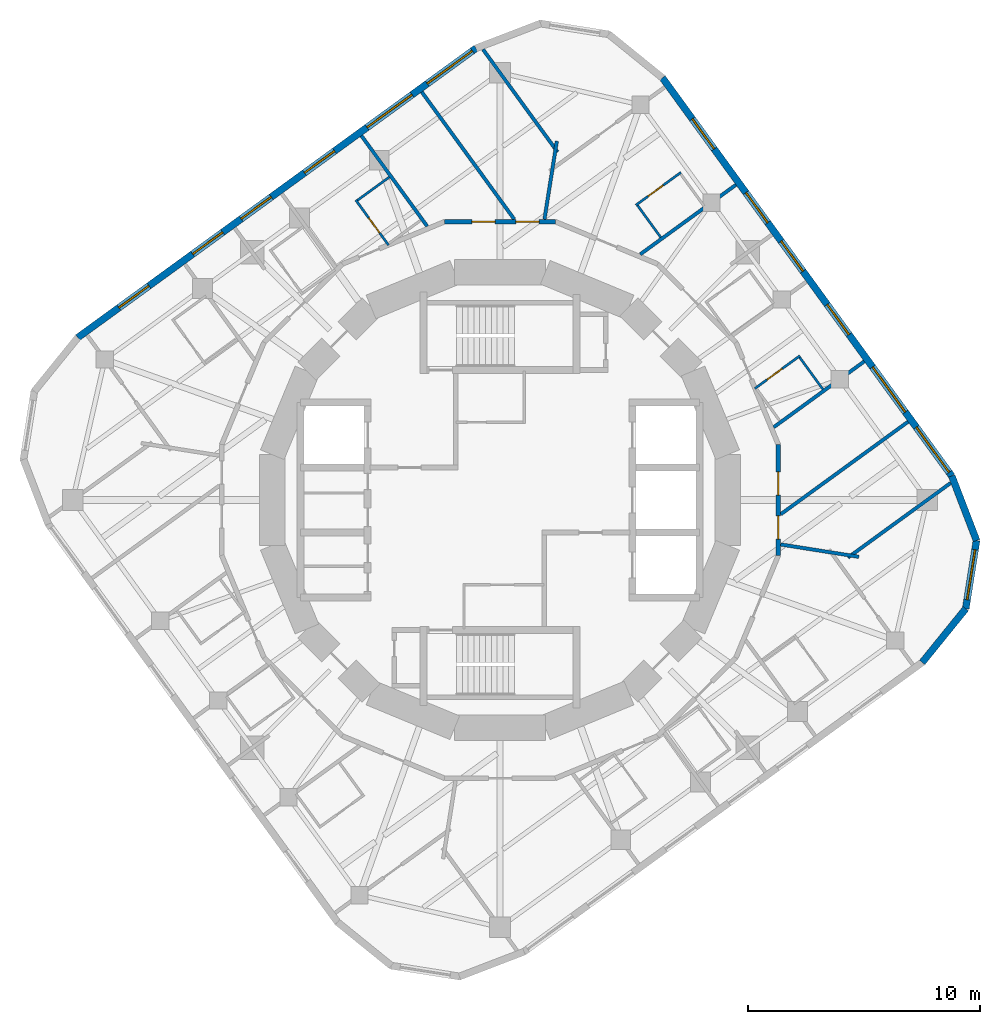
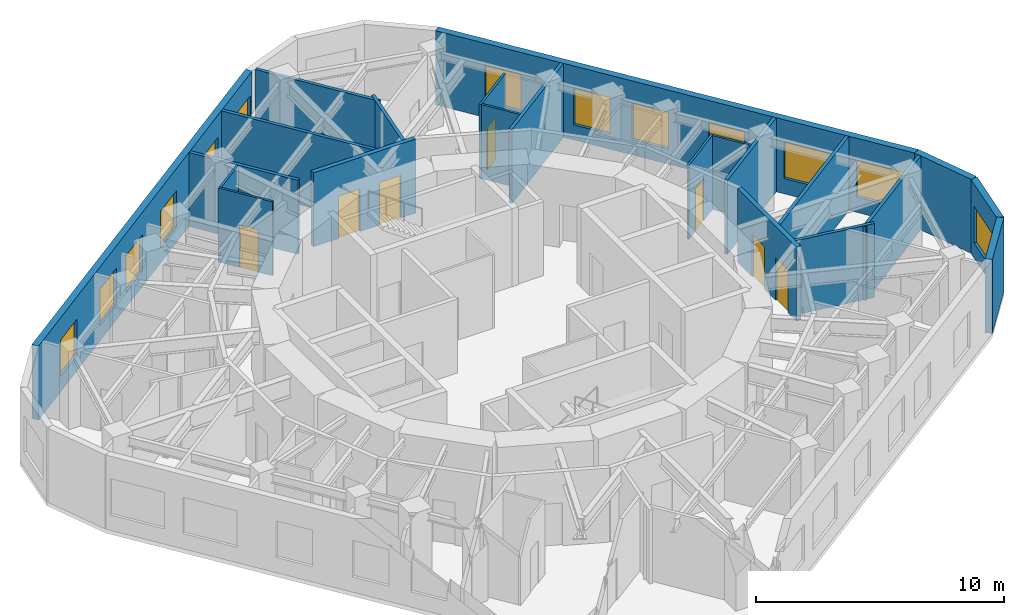
# One storey, part 7 of 9: 22 walls, 13 windows, 7 doors, 20 openings.
"""IFC4 building model written with IfcOpenShell, lengths in metres."""

from ifc_helpers import new_model, si_unit, direction, frame, frame_2d, origin, place, context, subcontext, project, spatial, rectangle, extrude, material, layer, layer_set, type_object, element, fill, save


model = new_model("IFC4")

# Units and contexts
model_context = context("Model", 3, precision=1e-05, world=origin(), true_north=direction((0.0, 1.0)))
body_context = subcontext(model_context, "Body", "Model", "MODEL_VIEW")
ifc_project = project(units=[si_unit("LENGTHUNIT", "METRE"), si_unit("AREAUNIT", "SQUARE_METRE"), si_unit("VOLUMEUNIT", "CUBIC_METRE"), si_unit("PLANEANGLEUNIT", "RADIAN"), si_unit("MASSUNIT", "GRAM", prefix="KILO")], contexts=[model_context])

# Site, building, storey
site_placement = place(None, origin())
site = spatial("IfcSite", under=ifc_project, at=site_placement, CompositionType="ELEMENT")
building_placement = place(site_placement, origin())
building = spatial("IfcBuilding", under=site, at=building_placement, Name="Nakasero Lantern House", CompositionType="ELEMENT")
storey_placement = place(building_placement, frame((0.0, 0.0, 283.0)))
storey = spatial("IfcBuildingStorey", under=building, at=storey_placement, Name="L69", CompositionType="ELEMENT", Elevation=283.0)

# Wall, openings, doors
ifc_material_1 = material(Name="Blockwork", Category="masonry")
ifc_layer_1 = layer(ifc_material_1, 0.199951171875)
ifc_layer_set_1 = layer_set([ifc_layer_1], Name="Corridor wall 200")
wall_type_1 = type_object("IfcWallType", Name="Corridor wall 200", PredefinedType="PARTITIONING", material=ifc_layer_set_1)
wall_1_placement = place(storey_placement, frame((11.98779296875, 2.384521484375, 0.0), z_axis=(0.0, 0.0, 1.0), x_axis=(0.0, -1.0, 0.0)))
wall_1 = element("IfcWall", 1, at=wall_1_placement, inside=storey, type_object=wall_type_1, Name="Corridor wall L69 RC00a", PredefinedType="PARTITIONING", context=body_context, shape_type="SweptSolid", body=[
    extrude(rectangle(XDim=4.76904296875, YDim=0.199951171875, at=frame_2d((2.384521484375, 0.0))), origin(), (0.0, 0.0, 1.0), 3.64990234375),
])
opening_1_placement = place(wall_1_placement, frame((3.070068359375, 0.0, 0.0)))
opening_1 = element("IfcOpeningElement", 2, at=opening_1_placement, cuts=wall_1, Name="Opening D03", PredefinedType="OPENING", context=body_context, shape_type="SweptSolid", body=[
    extrude(rectangle(XDim=1.0, YDim=2.10009765625, at=frame_2d((0.5, 1.050048828125))), frame((0.0, 0.119873046875, 0.0), z_axis=(0.0, -1.0, 0.0), x_axis=(1.0, 0.0, 0.0)), (0.0, 0.0, 1.0), 0.239990234375),
])
opening_2_placement = place(wall_1_placement, frame((1.169921875, 0.0, 0.0)))
opening_2 = element("IfcOpeningElement", 3, at=opening_2_placement, cuts=wall_1, Name="Opening D03", PredefinedType="OPENING", context=body_context, shape_type="SweptSolid", body=[
    extrude(rectangle(XDim=1.0, YDim=2.10009765625, at=frame_2d((0.5, 1.050048828125))), frame((0.0, 0.119873046875, 0.0), z_axis=(0.0, -1.0, 0.0), x_axis=(1.0, 0.0, 0.0)), (0.0, 0.0, 1.0), 0.239990234375),
])
ifc_material_2 = material(Name="Timber C24", Category="wood")
door_type_1 = type_object("IfcDoorType", Name="Lounge door FD30S 1000", OperationType="SINGLE_SWING_LEFT", PredefinedType="DOOR", material=ifc_material_2)
door_1_placement = place(opening_1_placement, origin())
door_1 = element("IfcDoor", 4, at=door_1_placement, inside=storey, type_object=door_type_1, Name="Door L69 DK0", OperationType="SINGLE_SWING_RIGHT", OverallHeight=2.10009765625, OverallWidth=1.0, PredefinedType="DOOR", context=body_context, shape_type="SweptSolid", body=[
    extrude(rectangle(XDim=1.0, YDim=2.10009765625, at=frame_2d((0.5, 1.050048828125))), frame((0.0, 0.02490234375, 0.0), z_axis=(0.0, -1.0, 0.0), x_axis=(1.0, 0.0, 0.0)), (0.0, 0.0, 1.0), 0.050048828125),
])
fill(opening_1, door_1)
door_2_placement = place(opening_2_placement, origin())
door_2 = element("IfcDoor", 5, at=door_2_placement, inside=storey, type_object=door_type_1, Name="Door L69 DK0-1", OperationType="SINGLE_SWING_LEFT", OverallHeight=2.10009765625, OverallWidth=1.0, PredefinedType="DOOR", context=body_context, shape_type="SweptSolid", body=[
    extrude(rectangle(XDim=1.0, YDim=2.10009765625, at=frame_2d((0.5, 1.050048828125))), frame((0.0, 0.02490234375, 0.0), z_axis=(0.0, -1.0, 0.0), x_axis=(1.0, 0.0, 0.0)), (0.0, 0.0, 1.0), 0.050048828125),
])
fill(opening_2, door_2)

wall_2_placement = place(storey_placement, frame((-2.384521484375, 11.98779296875, 0.0), z_axis=(0.0, 0.0, 1.0), x_axis=(1.0, 0.0, 0.0)))
wall_2 = element("IfcWall", 6, at=wall_2_placement, inside=storey, type_object=wall_type_1, Name="Corridor wall L69 RC12a", PredefinedType="PARTITIONING", context=body_context, shape_type="SweptSolid", body=[
    extrude(rectangle(XDim=4.76904296875, YDim=0.199951171875, at=frame_2d((2.384521484375, 0.0))), origin(), (0.0, 0.0, 1.0), 3.64990234375),
])
opening_3_placement = place(wall_2_placement, frame((3.070068359375, 0.0, 0.0)))
opening_3 = element("IfcOpeningElement", 7, at=opening_3_placement, cuts=wall_2, Name="Opening D03", PredefinedType="OPENING", context=body_context, shape_type="SweptSolid", body=[
    extrude(rectangle(XDim=1.0, YDim=2.10009765625, at=frame_2d((0.5, 1.050048828125))), frame((0.0, 0.119873046875, 0.0), z_axis=(0.0, -1.0, 0.0), x_axis=(1.0, 0.0, 0.0)), (0.0, 0.0, 1.0), 0.239990234375),
])
opening_4_placement = place(wall_2_placement, frame((1.169921875, 0.0, 0.0)))
opening_4 = element("IfcOpeningElement", 8, at=opening_4_placement, cuts=wall_2, Name="Opening D03", PredefinedType="OPENING", context=body_context, shape_type="SweptSolid", body=[
    extrude(rectangle(XDim=1.0, YDim=2.10009765625, at=frame_2d((0.5, 1.050048828125))), frame((0.0, 0.119873046875, 0.0), z_axis=(0.0, -1.0, 0.0), x_axis=(1.0, 0.0, 0.0)), (0.0, 0.0, 1.0), 0.239990234375),
])
door_3_placement = place(opening_3_placement, origin())
door_3 = element("IfcDoor", 9, at=door_3_placement, inside=storey, type_object=door_type_1, Name="Door L69 DK1", OperationType="SINGLE_SWING_RIGHT", OverallHeight=2.10009765625, OverallWidth=1.0, PredefinedType="DOOR", context=body_context, shape_type="SweptSolid", body=[
    extrude(rectangle(XDim=1.0, YDim=2.10009765625, at=frame_2d((0.5, 1.050048828125))), frame((0.0, 0.02490234375, 0.0), z_axis=(0.0, -1.0, 0.0), x_axis=(1.0, 0.0, 0.0)), (0.0, 0.0, 1.0), 0.050048828125),
])
fill(opening_3, door_3)
door_4_placement = place(opening_4_placement, origin())
door_4 = element("IfcDoor", 10, at=door_4_placement, inside=storey, type_object=door_type_1, Name="Door L69 DK1-1", OperationType="SINGLE_SWING_LEFT", OverallHeight=2.10009765625, OverallWidth=1.0, PredefinedType="DOOR", context=body_context, shape_type="SweptSolid", body=[
    extrude(rectangle(XDim=1.0, YDim=2.10009765625, at=frame_2d((0.5, 1.050048828125))), frame((0.0, 0.02490234375, 0.0), z_axis=(0.0, -1.0, 0.0), x_axis=(1.0, 0.0, 0.0)), (0.0, 0.0, 1.0), 0.050048828125),
])
fill(opening_4, door_4)

# Wall, opening, door
ifc_material_3 = material(Name="Blockwork", Category="masonry")
ifc_layer_2 = layer(ifc_material_3, 0.10009765625)
ifc_layer_set_2 = layer_set([ifc_layer_2], Name="En-suite wall 100")
wall_type_2 = type_object("IfcWallType", Name="En-suite wall 100", PredefinedType="PARTITIONING", material=ifc_layer_set_2)
wall_3_placement = place(storey_placement, frame((10.97705078125, 4.80126953125, 0.0), z_axis=(0.0, 0.0, 1.0), x_axis=(0.809026317077, 0.587772420479, 0.0)))
wall_3 = element("IfcWall", 11, at=wall_3_placement, inside=storey, type_object=wall_type_2, Name="En-suite wall L69 ES0-03", PredefinedType="PARTITIONING", context=body_context, shape_type="SweptSolid", body=[
    extrude(rectangle(XDim=2.39990234375, YDim=0.10009765625, at=frame_2d((1.199951171875, 0.0))), origin(), (0.0, 0.0, 1.0), 3.64990234375),
])
opening_5_placement = place(wall_3_placement, frame((0.64990234375, 0.0, 0.0)))
opening_5 = element("IfcOpeningElement", 12, at=opening_5_placement, cuts=wall_3, Name="Opening D02", PredefinedType="OPENING", context=body_context, shape_type="SweptSolid", body=[
    extrude(rectangle(XDim=0.800048828125, YDim=2.10009765625, at=frame_2d((0.39990234375, 1.050048828125))), frame((0.0, 0.070068359375, 0.0), z_axis=(0.0, -1.0, 0.0), x_axis=(1.0, 0.0, 0.0)), (0.0, 0.0, 1.0), 0.14013671875),
])
ifc_material_4 = material(Name="Timber C24", Category="wood")
door_type_2 = type_object("IfcDoorType", Name="En-suite door 800", OperationType="SINGLE_SWING_RIGHT", PredefinedType="DOOR", material=ifc_material_4)
door_5_placement = place(opening_5_placement, origin())
door_5 = element("IfcDoor", 13, at=door_5_placement, inside=storey, type_object=door_type_2, Name="Door L69 DE0-03", OperationType="SINGLE_SWING_LEFT", OverallHeight=2.10009765625, OverallWidth=0.800048828125, PredefinedType="DOOR", context=body_context, shape_type="SweptSolid", body=[
    extrude(rectangle(XDim=0.800048828125, YDim=2.10009765625, at=frame_2d((0.39990234375, 1.050048828125))), frame((0.0, 0.02490234375, 0.0), z_axis=(0.0, -1.0, 0.0), x_axis=(1.0, 0.0, 0.0)), (0.0, 0.0, 1.0), 0.050048828125),
])
fill(opening_5, door_5)

# Wall
wall_4_placement = place(storey_placement, frame((13.906982421875, 4.766845703125, 0.0), z_axis=(0.0, 0.0, 1.0), x_axis=(-0.587821529301, 0.808990636343, 0.0)))
element("IfcWall", 14, at=wall_4_placement, inside=storey, type_object=wall_type_2, Name="En-suite wall L69 EE0-03", PredefinedType="PARTITIONING", context=body_context, shape_type="SweptSolid", body=[
    extrude(rectangle(XDim=1.699951171875, YDim=0.10009765625, at=frame_2d((0.85009765625, 0.0))), origin(), (0.0, 0.0, 1.0), 3.64990234375),
])

# Wall, opening, door
wall_5_placement = place(storey_placement, frame((5.852783203125, 12.7001953125, 0.0), z_axis=(0.0, 0.0, 1.0), x_axis=(0.809026317077, 0.587772420479, 0.0)))
wall_5 = element("IfcWall", 15, at=wall_5_placement, inside=storey, type_object=wall_type_2, Name="En-suite wall L69 ES0-06", PredefinedType="PARTITIONING", context=body_context, shape_type="SweptSolid", body=[
    extrude(rectangle(XDim=2.39990234375, YDim=0.10009765625, at=frame_2d((1.199951171875, 0.0))), origin(), (0.0, 0.0, 1.0), 3.64990234375),
])
opening_6_placement = place(wall_5_placement, frame((0.64990234375, 0.0, 0.0)))
opening_6 = element("IfcOpeningElement", 16, at=opening_6_placement, cuts=wall_5, Name="Opening D02", PredefinedType="OPENING", context=body_context, shape_type="SweptSolid", body=[
    extrude(rectangle(XDim=0.800048828125, YDim=2.10009765625, at=frame_2d((0.39990234375, 1.050048828125))), frame((0.0, 0.070068359375, 0.0), z_axis=(0.0, -1.0, 0.0), x_axis=(1.0, 0.0, 0.0)), (0.0, 0.0, 1.0), 0.14013671875),
])
door_6_placement = place(opening_6_placement, origin())
door_6 = element("IfcDoor", 17, at=door_6_placement, inside=storey, type_object=door_type_2, Name="Door L69 DE0-06", OperationType="SINGLE_SWING_LEFT", OverallHeight=2.10009765625, OverallWidth=0.800048828125, PredefinedType="DOOR", context=body_context, shape_type="SweptSolid", body=[
    extrude(rectangle(XDim=0.800048828125, YDim=2.10009765625, at=frame_2d((0.39990234375, 1.050048828125))), frame((0.0, 0.02490234375, 0.0), z_axis=(0.0, -1.0, 0.0), x_axis=(1.0, 0.0, 0.0)), (0.0, 0.0, 1.0), 0.050048828125),
])
fill(opening_6, door_6)

# Wall
wall_6_placement = place(storey_placement, frame((6.921875, 11.313720703125, 0.0), z_axis=(0.0, 0.0, 1.0), x_axis=(-0.58775323954, 0.809040252033, 0.0)))
element("IfcWall", 18, at=wall_6_placement, inside=storey, type_object=wall_type_2, Name="En-suite wall L69 EI0-06", PredefinedType="PARTITIONING", context=body_context, shape_type="SweptSolid", body=[
    extrude(rectangle(XDim=1.7001953125, YDim=0.10009765625, at=frame_2d((0.85009765625, 0.0))), origin(), (0.0, 0.0, 1.0), 3.64990234375),
])

# Wall, opening, door
wall_7_placement = place(storey_placement, frame((-4.80126953125, 10.97705078125, 0.0), z_axis=(0.0, 0.0, 1.0), x_axis=(-0.587772420479, 0.809026317077, 0.0)))
wall_7 = element("IfcWall", 19, at=wall_7_placement, inside=storey, type_object=wall_type_2, Name="En-suite wall L69 ES1-03", PredefinedType="PARTITIONING", context=body_context, shape_type="SweptSolid", body=[
    extrude(rectangle(XDim=2.39990234375, YDim=0.10009765625, at=frame_2d((1.199951171875, 0.0))), origin(), (0.0, 0.0, 1.0), 3.64990234375),
])
opening_7_placement = place(wall_7_placement, frame((0.64990234375, 0.0, 0.0)))
opening_7 = element("IfcOpeningElement", 20, at=opening_7_placement, cuts=wall_7, Name="Opening D02", PredefinedType="OPENING", context=body_context, shape_type="SweptSolid", body=[
    extrude(rectangle(XDim=0.800048828125, YDim=2.10009765625, at=frame_2d((0.39990234375, 1.050048828125))), frame((0.0, 0.070068359375, 0.0), z_axis=(0.0, -1.0, 0.0), x_axis=(1.0, 0.0, 0.0)), (0.0, 0.0, 1.0), 0.14013671875),
])
door_7_placement = place(opening_7_placement, origin())
door_7 = element("IfcDoor", 21, at=door_7_placement, inside=storey, type_object=door_type_2, Name="Door L69 DE1-03", OperationType="SINGLE_SWING_LEFT", OverallHeight=2.10009765625, OverallWidth=0.800048828125, PredefinedType="DOOR", context=body_context, shape_type="SweptSolid", body=[
    extrude(rectangle(XDim=0.800048828125, YDim=2.10009765625, at=frame_2d((0.39990234375, 1.050048828125))), frame((0.0, 0.02490234375, 0.0), z_axis=(0.0, -1.0, 0.0), x_axis=(1.0, 0.0, 0.0)), (0.0, 0.0, 1.0), 0.050048828125),
])
fill(opening_7, door_7)

# Wall
wall_8_placement = place(storey_placement, frame((-4.766845703125, 13.906982421875, 0.0), z_axis=(0.0, 0.0, 1.0), x_axis=(-0.808990636343, -0.587821529301, 0.0)))
element("IfcWall", 22, at=wall_8_placement, inside=storey, type_object=wall_type_2, Name="En-suite wall L69 EE1-03", PredefinedType="PARTITIONING", context=body_context, shape_type="SweptSolid", body=[
    extrude(rectangle(XDim=1.699951171875, YDim=0.10009765625, at=frame_2d((0.85009765625, 0.0))), origin(), (0.0, 0.0, 1.0), 3.64990234375),
])

# Wall, openings, windows
ifc_material_5 = material(Name="Aluminium rainscreen on blockwork", Category="masonry")
ifc_layer_3 = layer(ifc_material_5, 0.300048828125)
ifc_layer_set_3 = layer_set([ifc_layer_3], Name="Facade wall 300")
wall_type_3 = type_object("IfcWallType", Name="Facade wall 300", PredefinedType="SOLIDWALL", material=ifc_layer_set_3)
wall_9_placement = place(storey_placement, frame((19.4580078125, 1.03466796875, 0.0), z_axis=(0.0, 0.0, 1.0), x_axis=(-0.587790233451, 0.809013375328, 0.0)))
wall_9 = element("IfcWall", 23, at=wall_9_placement, inside=storey, type_object=wall_type_3, Name="Facade wall L69 FW0S", PredefinedType="SOLIDWALL", context=body_context, shape_type="SweptSolid", body=[
    extrude(rectangle(XDim=21.199951171875, YDim=0.300048828125, at=frame_2d((10.60009765625, 0.0))), origin(), (0.0, 0.0, 1.0), 3.64990234375),
])
opening_8_placement = place(wall_9_placement, frame((7.52783203125, 0.0, 0.75)))
opening_8 = element("IfcOpeningElement", 24, at=opening_8_placement, cuts=wall_9, Name="Opening W01", PredefinedType="OPENING", context=body_context, shape_type="SweptSolid", body=[
    extrude(rectangle(XDim=1.60009765625, YDim=1.800048828125, at=frame_2d((0.800048828125, 0.89990234375))), frame((0.0, 0.169921875, 0.0), z_axis=(0.0, -1.0, 0.0), x_axis=(1.0, 0.0, 0.0)), (0.0, 0.0, 1.0), 0.340087890625),
])
opening_9_placement = place(wall_9_placement, frame((10.904052734375, 0.0, 0.75)))
opening_9 = element("IfcOpeningElement", 25, at=opening_9_placement, cuts=wall_9, Name="Opening W01", PredefinedType="OPENING", context=body_context, shape_type="SweptSolid", body=[
    extrude(rectangle(XDim=1.60009765625, YDim=1.800048828125, at=frame_2d((0.800048828125, 0.89990234375))), frame((0.0, 0.169921875, 0.0), z_axis=(0.0, -1.0, 0.0), x_axis=(1.0, 0.0, 0.0)), (0.0, 0.0, 1.0), 0.340087890625),
])
opening_10_placement = place(wall_9_placement, frame((13.484619140625, 0.0, 0.75)))
opening_10 = element("IfcOpeningElement", 26, at=opening_10_placement, cuts=wall_9, Name="Opening W01", PredefinedType="OPENING", context=body_context, shape_type="SweptSolid", body=[
    extrude(rectangle(XDim=1.60009765625, YDim=1.800048828125, at=frame_2d((0.800048828125, 0.89990234375))), frame((0.0, 0.169921875, 0.0), z_axis=(0.0, -1.0, 0.0), x_axis=(1.0, 0.0, 0.0)), (0.0, 0.0, 1.0), 0.340087890625),
])
opening_11_placement = place(wall_9_placement, frame((17.410888671875, 0.0, 0.75)))
opening_11 = element("IfcOpeningElement", 27, at=opening_11_placement, cuts=wall_9, Name="Opening W01", PredefinedType="OPENING", context=body_context, shape_type="SweptSolid", body=[
    extrude(rectangle(XDim=1.60009765625, YDim=1.800048828125, at=frame_2d((0.800048828125, 0.89990234375))), frame((0.0, 0.169921875, 0.0), z_axis=(0.0, -1.0, 0.0), x_axis=(1.0, 0.0, 0.0)), (0.0, 0.0, 1.0), 0.340087890625),
])
opening_12_placement = place(wall_9_placement, frame((0.1904296875, 0.0, 0.75)))
opening_12 = element("IfcOpeningElement", 28, at=opening_12_placement, cuts=wall_9, Name="Opening W03", PredefinedType="OPENING", context=body_context, shape_type="SweptSolid", body=[
    extrude(rectangle(XDim=2.39990234375, YDim=1.800048828125, at=frame_2d((1.199951171875, 0.89990234375))), frame((0.0, 0.169921875, 0.0), z_axis=(0.0, -1.0, 0.0), x_axis=(1.0, 0.0, 0.0)), (0.0, 0.0, 1.0), 0.340087890625),
])
opening_13_placement = place(wall_9_placement, frame((3.401611328125, 0.0, 0.75)))
opening_13 = element("IfcOpeningElement", 29, at=opening_13_placement, cuts=wall_9, Name="Opening W03", PredefinedType="OPENING", context=body_context, shape_type="SweptSolid", body=[
    extrude(rectangle(XDim=2.39990234375, YDim=1.800048828125, at=frame_2d((1.199951171875, 0.89990234375))), frame((0.0, 0.169921875, 0.0), z_axis=(0.0, -1.0, 0.0), x_axis=(1.0, 0.0, 0.0)), (0.0, 0.0, 1.0), 0.340087890625),
])
ifc_material_6 = material(Name="Aluminium 6063-T6 and glass", Category="aluminium")
window_type_1 = type_object("IfcWindowType", Name="Bedroom window 1600x1800", PartitioningType="SINGLE_PANEL", PredefinedType="WINDOW", material=ifc_material_6)
window_1_placement = place(opening_8_placement, origin())
window_1 = element("IfcWindow", 30, at=window_1_placement, inside=storey, type_object=window_type_1, Name="Window L69 WN0-03", OverallHeight=1.800048828125, OverallWidth=1.60009765625, PartitioningType="SINGLE_PANEL", PredefinedType="WINDOW", context=body_context, shape_type="SweptSolid", body=[
    extrude(rectangle(XDim=1.60009765625, YDim=1.800048828125, at=frame_2d((0.800048828125, 0.89990234375))), frame((0.0, 0.030029296875, 0.0), z_axis=(0.0, -1.0, 0.0), x_axis=(1.0, 0.0, 0.0)), (0.0, 0.0, 1.0), 0.06005859375),
])
fill(opening_8, window_1)
window_2_placement = place(opening_9_placement, origin())
window_2 = element("IfcWindow", 31, at=window_2_placement, inside=storey, type_object=window_type_1, Name="Window L69 WN0-04", OverallHeight=1.800048828125, OverallWidth=1.60009765625, PartitioningType="SINGLE_PANEL", PredefinedType="WINDOW", context=body_context, shape_type="SweptSolid", body=[
    extrude(rectangle(XDim=1.60009765625, YDim=1.800048828125, at=frame_2d((0.800048828125, 0.89990234375))), frame((0.0, 0.030029296875, 0.0), z_axis=(0.0, -1.0, 0.0), x_axis=(1.0, 0.0, 0.0)), (0.0, 0.0, 1.0), 0.06005859375),
])
fill(opening_9, window_2)
window_3_placement = place(opening_10_placement, origin())
window_3 = element("IfcWindow", 32, at=window_3_placement, inside=storey, type_object=window_type_1, Name="Window L69 WN0-05", OverallHeight=1.800048828125, OverallWidth=1.60009765625, PartitioningType="SINGLE_PANEL", PredefinedType="WINDOW", context=body_context, shape_type="SweptSolid", body=[
    extrude(rectangle(XDim=1.60009765625, YDim=1.800048828125, at=frame_2d((0.800048828125, 0.89990234375))), frame((0.0, 0.030029296875, 0.0), z_axis=(0.0, -1.0, 0.0), x_axis=(1.0, 0.0, 0.0)), (0.0, 0.0, 1.0), 0.06005859375),
])
fill(opening_10, window_3)
window_4_placement = place(opening_11_placement, origin())
window_4 = element("IfcWindow", 33, at=window_4_placement, inside=storey, type_object=window_type_1, Name="Window L69 WN0-06", OverallHeight=1.800048828125, OverallWidth=1.60009765625, PartitioningType="SINGLE_PANEL", PredefinedType="WINDOW", context=body_context, shape_type="SweptSolid", body=[
    extrude(rectangle(XDim=1.60009765625, YDim=1.800048828125, at=frame_2d((0.800048828125, 0.89990234375))), frame((0.0, 0.030029296875, 0.0), z_axis=(0.0, -1.0, 0.0), x_axis=(1.0, 0.0, 0.0)), (0.0, 0.0, 1.0), 0.06005859375),
])
fill(opening_11, window_4)
ifc_material_7 = material(Name="Aluminium 6063-T6 and glass", Category="aluminium")
window_type_2 = type_object("IfcWindowType", Name="Lounge window 2400x1800", PartitioningType="SINGLE_PANEL", PredefinedType="WINDOW", material=ifc_material_7)
window_5_placement = place(opening_12_placement, origin())
window_5 = element("IfcWindow", 34, at=window_5_placement, inside=storey, type_object=window_type_2, Name="Window L69 WK0", OverallHeight=1.800048828125, OverallWidth=2.39990234375, PartitioningType="SINGLE_PANEL", PredefinedType="WINDOW", context=body_context, shape_type="SweptSolid", body=[
    extrude(rectangle(XDim=2.39990234375, YDim=1.800048828125, at=frame_2d((1.199951171875, 0.89990234375))), frame((0.0, 0.030029296875, 0.0), z_axis=(0.0, -1.0, 0.0), x_axis=(1.0, 0.0, 0.0)), (0.0, 0.0, 1.0), 0.06005859375),
])
fill(opening_12, window_5)
window_6_placement = place(opening_13_placement, origin())
window_6 = element("IfcWindow", 35, at=window_6_placement, inside=storey, type_object=window_type_2, Name="Window L69 WL0", OverallHeight=1.800048828125, OverallWidth=2.39990234375, PartitioningType="SINGLE_PANEL", PredefinedType="WINDOW", context=body_context, shape_type="SweptSolid", body=[
    extrude(rectangle(XDim=2.39990234375, YDim=1.800048828125, at=frame_2d((1.199951171875, 0.89990234375))), frame((0.0, 0.030029296875, 0.0), z_axis=(0.0, -1.0, 0.0), x_axis=(1.0, 0.0, 0.0)), (0.0, 0.0, 1.0), 0.06005859375),
])
fill(opening_13, window_6)

wall_10_placement = place(storey_placement, frame((-1.03466796875, 19.4580078125, 0.0), z_axis=(0.0, 0.0, 1.0), x_axis=(-0.809013375328, -0.587790233451, 0.0)))
wall_10 = element("IfcWall", 36, at=wall_10_placement, inside=storey, type_object=wall_type_3, Name="Facade wall L69 FW1S", PredefinedType="SOLIDWALL", context=body_context, shape_type="SweptSolid", body=[
    extrude(rectangle(XDim=21.199951171875, YDim=0.300048828125, at=frame_2d((10.60009765625, 0.0))), origin(), (0.0, 0.0, 1.0), 3.64990234375),
])
opening_14_placement = place(wall_10_placement, frame((7.52783203125, 0.0, 0.75)))
opening_14 = element("IfcOpeningElement", 37, at=opening_14_placement, cuts=wall_10, Name="Opening W01", PredefinedType="OPENING", context=body_context, shape_type="SweptSolid", body=[
    extrude(rectangle(XDim=1.60009765625, YDim=1.800048828125, at=frame_2d((0.800048828125, 0.89990234375))), frame((0.0, 0.169921875, 0.0), z_axis=(0.0, -1.0, 0.0), x_axis=(1.0, 0.0, 0.0)), (0.0, 0.0, 1.0), 0.340087890625),
])
opening_15_placement = place(wall_10_placement, frame((10.904052734375, 0.0, 0.75)))
opening_15 = element("IfcOpeningElement", 38, at=opening_15_placement, cuts=wall_10, Name="Opening W01", PredefinedType="OPENING", context=body_context, shape_type="SweptSolid", body=[
    extrude(rectangle(XDim=1.60009765625, YDim=1.800048828125, at=frame_2d((0.800048828125, 0.89990234375))), frame((0.0, 0.169921875, 0.0), z_axis=(0.0, -1.0, 0.0), x_axis=(1.0, 0.0, 0.0)), (0.0, 0.0, 1.0), 0.340087890625),
])
opening_16_placement = place(wall_10_placement, frame((13.484619140625, 0.0, 0.75)))
opening_16 = element("IfcOpeningElement", 39, at=opening_16_placement, cuts=wall_10, Name="Opening W01", PredefinedType="OPENING", context=body_context, shape_type="SweptSolid", body=[
    extrude(rectangle(XDim=1.60009765625, YDim=1.800048828125, at=frame_2d((0.800048828125, 0.89990234375))), frame((0.0, 0.169921875, 0.0), z_axis=(0.0, -1.0, 0.0), x_axis=(1.0, 0.0, 0.0)), (0.0, 0.0, 1.0), 0.340087890625),
])
opening_17_placement = place(wall_10_placement, frame((17.410888671875, 0.0, 0.75)))
opening_17 = element("IfcOpeningElement", 40, at=opening_17_placement, cuts=wall_10, Name="Opening W01", PredefinedType="OPENING", context=body_context, shape_type="SweptSolid", body=[
    extrude(rectangle(XDim=1.60009765625, YDim=1.800048828125, at=frame_2d((0.800048828125, 0.89990234375))), frame((0.0, 0.169921875, 0.0), z_axis=(0.0, -1.0, 0.0), x_axis=(1.0, 0.0, 0.0)), (0.0, 0.0, 1.0), 0.340087890625),
])
opening_18_placement = place(wall_10_placement, frame((0.1904296875, 0.0, 0.75)))
opening_18 = element("IfcOpeningElement", 41, at=opening_18_placement, cuts=wall_10, Name="Opening W03", PredefinedType="OPENING", context=body_context, shape_type="SweptSolid", body=[
    extrude(rectangle(XDim=2.39990234375, YDim=1.800048828125, at=frame_2d((1.199951171875, 0.89990234375))), frame((0.0, 0.169921875, 0.0), z_axis=(0.0, -1.0, 0.0), x_axis=(1.0, 0.0, 0.0)), (0.0, 0.0, 1.0), 0.340087890625),
])
opening_19_placement = place(wall_10_placement, frame((3.401611328125, 0.0, 0.75)))
opening_19 = element("IfcOpeningElement", 42, at=opening_19_placement, cuts=wall_10, Name="Opening W03", PredefinedType="OPENING", context=body_context, shape_type="SweptSolid", body=[
    extrude(rectangle(XDim=2.39990234375, YDim=1.800048828125, at=frame_2d((1.199951171875, 0.89990234375))), frame((0.0, 0.169921875, 0.0), z_axis=(0.0, -1.0, 0.0), x_axis=(1.0, 0.0, 0.0)), (0.0, 0.0, 1.0), 0.340087890625),
])
window_7_placement = place(opening_14_placement, origin())
window_7 = element("IfcWindow", 43, at=window_7_placement, inside=storey, type_object=window_type_1, Name="Window L69 WN1-03", OverallHeight=1.800048828125, OverallWidth=1.60009765625, PartitioningType="SINGLE_PANEL", PredefinedType="WINDOW", context=body_context, shape_type="SweptSolid", body=[
    extrude(rectangle(XDim=1.60009765625, YDim=1.800048828125, at=frame_2d((0.800048828125, 0.89990234375))), frame((0.0, 0.030029296875, 0.0), z_axis=(0.0, -1.0, 0.0), x_axis=(1.0, 0.0, 0.0)), (0.0, 0.0, 1.0), 0.06005859375),
])
fill(opening_14, window_7)
window_8_placement = place(opening_15_placement, origin())
window_8 = element("IfcWindow", 44, at=window_8_placement, inside=storey, type_object=window_type_1, Name="Window L69 WN1-04", OverallHeight=1.800048828125, OverallWidth=1.60009765625, PartitioningType="SINGLE_PANEL", PredefinedType="WINDOW", context=body_context, shape_type="SweptSolid", body=[
    extrude(rectangle(XDim=1.60009765625, YDim=1.800048828125, at=frame_2d((0.800048828125, 0.89990234375))), frame((0.0, 0.030029296875, 0.0), z_axis=(0.0, -1.0, 0.0), x_axis=(1.0, 0.0, 0.0)), (0.0, 0.0, 1.0), 0.06005859375),
])
fill(opening_15, window_8)
window_9_placement = place(opening_16_placement, origin())
window_9 = element("IfcWindow", 45, at=window_9_placement, inside=storey, type_object=window_type_1, Name="Window L69 WN1-05", OverallHeight=1.800048828125, OverallWidth=1.60009765625, PartitioningType="SINGLE_PANEL", PredefinedType="WINDOW", context=body_context, shape_type="SweptSolid", body=[
    extrude(rectangle(XDim=1.60009765625, YDim=1.800048828125, at=frame_2d((0.800048828125, 0.89990234375))), frame((0.0, 0.030029296875, 0.0), z_axis=(0.0, -1.0, 0.0), x_axis=(1.0, 0.0, 0.0)), (0.0, 0.0, 1.0), 0.06005859375),
])
fill(opening_16, window_9)
window_10_placement = place(opening_17_placement, origin())
window_10 = element("IfcWindow", 46, at=window_10_placement, inside=storey, type_object=window_type_1, Name="Window L69 WN1-06", OverallHeight=1.800048828125, OverallWidth=1.60009765625, PartitioningType="SINGLE_PANEL", PredefinedType="WINDOW", context=body_context, shape_type="SweptSolid", body=[
    extrude(rectangle(XDim=1.60009765625, YDim=1.800048828125, at=frame_2d((0.800048828125, 0.89990234375))), frame((0.0, 0.030029296875, 0.0), z_axis=(0.0, -1.0, 0.0), x_axis=(1.0, 0.0, 0.0)), (0.0, 0.0, 1.0), 0.06005859375),
])
fill(opening_17, window_10)
window_11_placement = place(opening_18_placement, origin())
window_11 = element("IfcWindow", 47, at=window_11_placement, inside=storey, type_object=window_type_2, Name="Window L69 WK1", OverallHeight=1.800048828125, OverallWidth=2.39990234375, PartitioningType="SINGLE_PANEL", PredefinedType="WINDOW", context=body_context, shape_type="SweptSolid", body=[
    extrude(rectangle(XDim=2.39990234375, YDim=1.800048828125, at=frame_2d((1.199951171875, 0.89990234375))), frame((0.0, 0.030029296875, 0.0), z_axis=(0.0, -1.0, 0.0), x_axis=(1.0, 0.0, 0.0)), (0.0, 0.0, 1.0), 0.06005859375),
])
fill(opening_18, window_11)
window_12_placement = place(opening_19_placement, origin())
window_12 = element("IfcWindow", 48, at=window_12_placement, inside=storey, type_object=window_type_2, Name="Window L69 WL1", OverallHeight=1.800048828125, OverallWidth=2.39990234375, PartitioningType="SINGLE_PANEL", PredefinedType="WINDOW", context=body_context, shape_type="SweptSolid", body=[
    extrude(rectangle(XDim=2.39990234375, YDim=1.800048828125, at=frame_2d((1.199951171875, 0.89990234375))), frame((0.0, 0.030029296875, 0.0), z_axis=(0.0, -1.0, 0.0), x_axis=(1.0, 0.0, 0.0)), (0.0, 0.0, 1.0), 0.06005859375),
])
fill(opening_19, window_12)

# Wall
wall_11_placement = place(storey_placement, frame((18.185791015625, -6.996826171875, 0.0), z_axis=(0.0, 0.0, 1.0), x_axis=(0.629375183362, 0.777101588319, 0.0)))
element("IfcWall", 49, at=wall_11_placement, inside=storey, type_object=wall_type_3, Name="Facade wall L69 FW3C1", PredefinedType="SOLIDWALL", context=body_context, shape_type="SweptSolid", body=[
    extrude(rectangle(XDim=2.976318359375, YDim=0.300048828125, at=frame_2d((1.48828125, 0.0))), origin(), (0.0, 0.0, 1.0), 3.64990234375),
])

# Wall, opening, window
wall_12_placement = place(storey_placement, frame((20.05908203125, -4.683837890625, 0.0), z_axis=(0.0, 0.0, 1.0), x_axis=(0.156413227021, 0.987691704133, 0.0)))
wall_12 = element("IfcWall", 50, at=wall_12_placement, inside=storey, type_object=wall_type_3, Name="Facade wall L69 FW3C2", PredefinedType="SOLIDWALL", context=body_context, shape_type="SweptSolid", body=[
    extrude(rectangle(XDim=2.9765625, YDim=0.300048828125, at=frame_2d((1.48828125, 0.0))), origin(), (0.0, 0.0, 1.0), 3.64990234375),
])
opening_20_placement = place(wall_12_placement, frame((0.39990234375, 0.0, 0.75)))
opening_20 = element("IfcOpeningElement", 51, at=opening_20_placement, cuts=wall_12, Name="Opening W221", PredefinedType="OPENING", context=body_context, shape_type="SweptSolid", body=[
    extrude(rectangle(XDim=2.176025390625, YDim=1.800048828125, at=frame_2d((1.087890625, 0.89990234375))), frame((0.0, 0.169921875, 0.0), z_axis=(0.0, -1.0, 0.0), x_axis=(1.0, 0.0, 0.0)), (0.0, 0.0, 1.0), 0.340087890625),
])
ifc_material_8 = material(Name="Aluminium 6063-T6 and glass", Category="aluminium")
window_type_3 = type_object("IfcWindowType", Name="Corner window 2176x1800", PartitioningType="SINGLE_PANEL", PredefinedType="WINDOW", material=ifc_material_8)
window_13_placement = place(opening_20_placement, origin())
window_13 = element("IfcWindow", 52, at=window_13_placement, inside=storey, type_object=window_type_3, Name="Window L69 WC3", OverallHeight=1.800048828125, OverallWidth=2.176025390625, PartitioningType="SINGLE_PANEL", PredefinedType="WINDOW", context=body_context, shape_type="SweptSolid", body=[
    extrude(rectangle(XDim=2.176025390625, YDim=1.800048828125, at=frame_2d((1.087890625, 0.89990234375))), frame((0.0, 0.030029296875, 0.0), z_axis=(0.0, -1.0, 0.0), x_axis=(1.0, 0.0, 0.0)), (0.0, 0.0, 1.0), 0.06005859375),
])
fill(opening_20, window_13)

# Walls
wall_13_placement = place(storey_placement, frame((20.524658203125, -1.743896484375, 0.0), z_axis=(0.0, 0.0, 1.0), x_axis=(-0.35838535244, 0.933573745966, 0.0)))
element("IfcWall", 53, at=wall_13_placement, inside=storey, type_object=wall_type_3, Name="Facade wall L69 FW3C3", PredefinedType="SOLIDWALL", context=body_context, shape_type="SweptSolid", body=[
    extrude(rectangle(XDim=2.976318359375, YDim=0.300048828125, at=frame_2d((1.48828125, 0.0))), origin(), (0.0, 0.0, 1.0), 3.64990234375),
])
ifc_material_9 = material(Name="Blockwork", Category="masonry")
ifc_layer_4 = layer(ifc_material_9, 0.14990234375)
ifc_layer_set_4 = layer_set([ifc_layer_4], Name="Party wall 150")
wall_type_4 = type_object("IfcWallType", Name="Party wall 150", PredefinedType="PARTITIONING", material=ifc_layer_set_4)
wall_14_placement = place(storey_placement, frame((14.9853515625, -2.48095703125, 0.0), z_axis=(0.0, 0.0, 1.0), x_axis=(0.809023745549, 0.587775959987, 0.0)))
element("IfcWall", 54, at=wall_14_placement, inside=storey, type_object=wall_type_4, Name="Party wall L69 PW0-01", PredefinedType="PARTITIONING", context=body_context, shape_type="SweptSolid", body=[
    extrude(rectangle(XDim=5.466552734375, YDim=0.14990234375, at=frame_2d((2.7333984375, 0.0))), origin(), (0.0, 0.0, 1.0), 3.64990234375),
])
wall_15_placement = place(storey_placement, frame((12.087890625, -0.61669921875, 0.0), z_axis=(0.0, 0.0, 1.0), x_axis=(0.809020810066, 0.587780000409, 0.0)))
element("IfcWall", 55, at=wall_15_placement, inside=storey, type_object=wall_type_4, Name="Party wall L69 PW0-02", PredefinedType="PARTITIONING", context=body_context, shape_type="SweptSolid", body=[
    extrude(rectangle(XDim=6.783203125, YDim=0.14990234375, at=frame_2d((3.3916015625, 0.0))), origin(), (0.0, 0.0, 1.0), 3.64990234375),
])
wall_16_placement = place(storey_placement, frame((11.7861328125, 3.133056640625, 0.0), z_axis=(0.0, 0.0, 1.0), x_axis=(0.809000848856, 0.587807474051, 0.0)))
element("IfcWall", 56, at=wall_16_placement, inside=storey, type_object=wall_type_4, Name="Party wall L69 PW0-03", PredefinedType="PARTITIONING", context=body_context, shape_type="SweptSolid", body=[
    extrude(rectangle(XDim=4.8232421875, YDim=0.14990234375, at=frame_2d((2.41162109375, 0.0))), origin(), (0.0, 0.0, 1.0), 3.64990234375),
])
wall_17_placement = place(storey_placement, frame((6.04150390625, 10.581298828125, 0.0), z_axis=(0.0, 0.0, 1.0), x_axis=(0.808997200429, 0.587812495358, 0.0)))
element("IfcWall", 57, at=wall_17_placement, inside=storey, type_object=wall_type_4, Name="Party wall L69 PW0-06", PredefinedType="PARTITIONING", context=body_context, shape_type="SweptSolid", body=[
    extrude(rectangle(XDim=5.0927734375, YDim=0.14990234375, at=frame_2d((2.54638671875, 0.0))), origin(), (0.0, 0.0, 1.0), 3.64990234375),
])
wall_18_placement = place(storey_placement, frame((1.91455078125, 12.087890625, 0.0), z_axis=(0.0, 0.0, 1.0), x_axis=(0.156429454775, 0.98768913413, 0.0)))
element("IfcWall", 58, at=wall_18_placement, inside=storey, type_object=wall_type_4, Name="Party wall L69 PD0", PredefinedType="PARTITIONING", context=body_context, shape_type="SweptSolid", body=[
    extrude(rectangle(XDim=3.41015625, YDim=0.14990234375, at=frame_2d((1.705078125, 0.0))), origin(), (0.0, 0.0, 1.0), 3.64990234375),
])
wall_19_placement = place(storey_placement, frame((2.48095703125, 14.9853515625, 0.0), z_axis=(0.0, 0.0, 1.0), x_axis=(-0.587775959987, 0.809023745549, 0.0)))
element("IfcWall", 59, at=wall_19_placement, inside=storey, type_object=wall_type_4, Name="Party wall L69 PW1-01", PredefinedType="PARTITIONING", context=body_context, shape_type="SweptSolid", body=[
    extrude(rectangle(XDim=5.466552734375, YDim=0.14990234375, at=frame_2d((2.7333984375, 0.0))), origin(), (0.0, 0.0, 1.0), 3.64990234375),
])
wall_20_placement = place(storey_placement, frame((0.61669921875, 12.087890625, 0.0), z_axis=(0.0, 0.0, 1.0), x_axis=(-0.587780000409, 0.809020810066, 0.0)))
element("IfcWall", 60, at=wall_20_placement, inside=storey, type_object=wall_type_4, Name="Party wall L69 PW1-02", PredefinedType="PARTITIONING", context=body_context, shape_type="SweptSolid", body=[
    extrude(rectangle(XDim=6.783203125, YDim=0.14990234375, at=frame_2d((3.3916015625, 0.0))), origin(), (0.0, 0.0, 1.0), 3.64990234375),
])
wall_21_placement = place(storey_placement, frame((-3.133056640625, 11.7861328125, 0.0), z_axis=(0.0, 0.0, 1.0), x_axis=(-0.587807474051, 0.809000848856, 0.0)))
element("IfcWall", 61, at=wall_21_placement, inside=storey, type_object=wall_type_4, Name="Party wall L69 PW1-03", PredefinedType="PARTITIONING", context=body_context, shape_type="SweptSolid", body=[
    extrude(rectangle(XDim=4.8232421875, YDim=0.14990234375, at=frame_2d((2.41162109375, 0.0))), origin(), (0.0, 0.0, 1.0), 3.64990234375),
])
wall_22_placement = place(storey_placement, frame((12.087890625, -1.91455078125, 0.0), z_axis=(0.0, 0.0, 1.0), x_axis=(0.98768913413, -0.156429454775, 0.0)))
element("IfcWall", 62, at=wall_22_placement, inside=storey, type_object=wall_type_4, Name="Party wall L69 PD3", PredefinedType="PARTITIONING", context=body_context, shape_type="SweptSolid", body=[
    extrude(rectangle(XDim=3.41015625, YDim=0.14990234375, at=frame_2d((1.705078125, 0.0))), origin(), (0.0, 0.0, 1.0), 3.64990234375),
])

save(model, "model.ifc")
